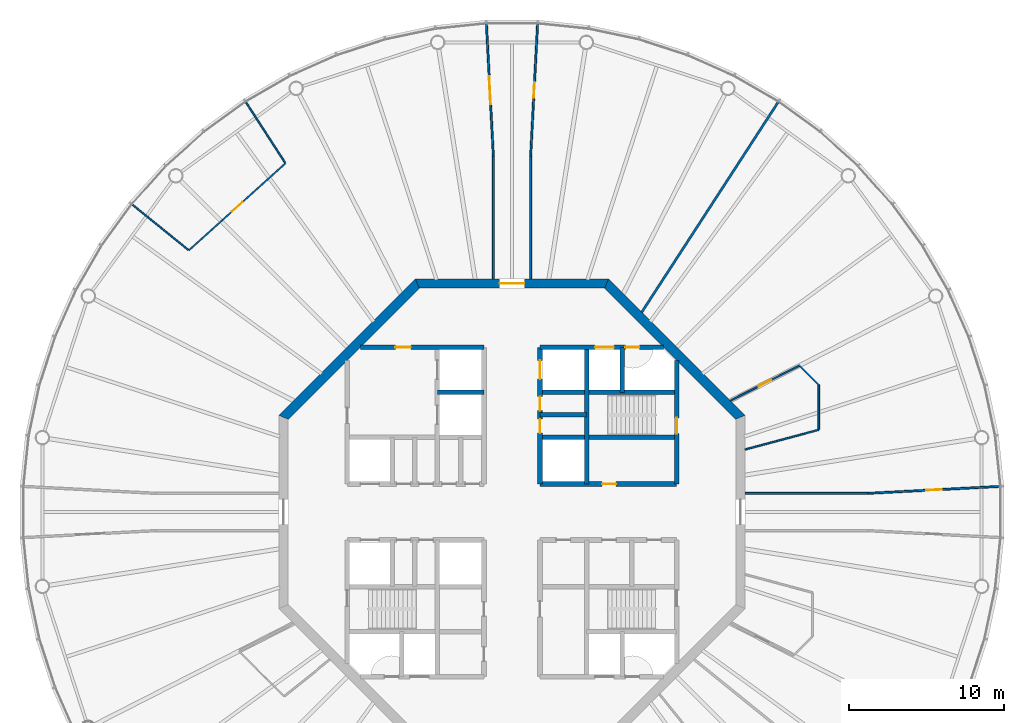
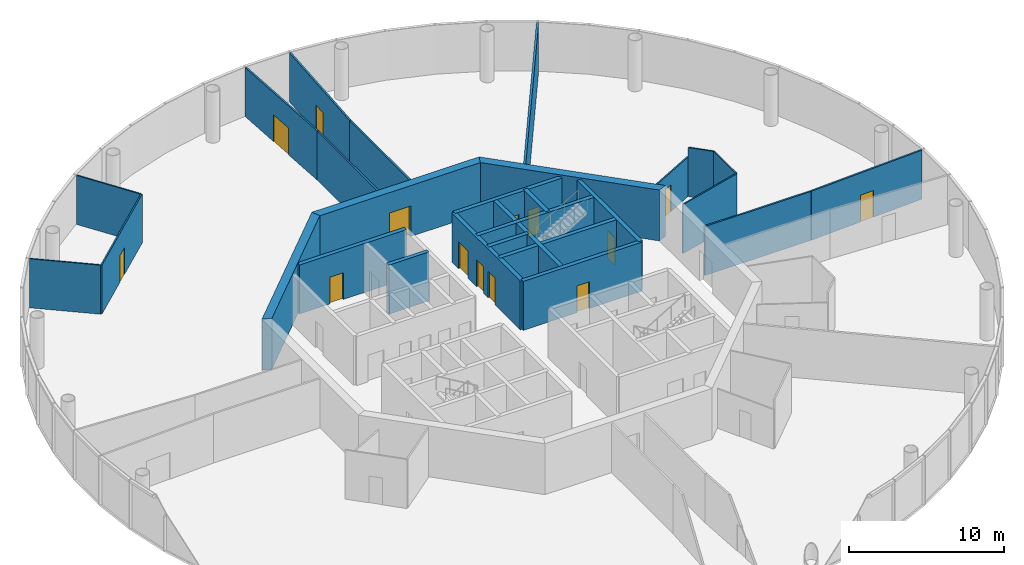
# One storey, part 5 of 13: 28 walls, 14 doors, 14 openings.
"""IFC4 building model written with IfcOpenShell, lengths in metres."""

import ifcopenshell
import ifcopenshell.guid

model = None  # the IFC model being written
_history = None  # IfcOwnerHistory: only IFC2X3 demands one
_inside = {}  # id of a spatial element -> (the spatial element, [elements in it])
_under = {}  # id of a project, library or spatial element -> (it, [spatial elements below it])
_declared = {}  # id of a project -> (the project, [libraries it declares])
_typed = {}  # id of a type object -> (the type object, [elements of that type])
_made_of = {}  # id of a material, layer set ... -> (it, [elements and type objects made of it])


def new_model(schema):
    """Start an empty IFC model of exactly this schema.

    Asked for "IFC4X3", IfcOpenShell would pick the latest addendum, in which some entities
    have other attributes; the version numbers below select the first issue.
    IFC2X3 requires an IfcOwnerHistory on every rooted entity: one is made here for all.
    """
    global model, _history
    if schema == "IFC4X3":
        model = ifcopenshell.file(schema_version=(4, 3, 0, 0))
    else:
        model = ifcopenshell.file(schema=schema)
    _inside.clear()
    _under.clear()
    _declared.clear()
    _typed.clear()
    _made_of.clear()
    _history = None
    if model.schema == "IFC2X3":
        org = make("IfcOrganization", Name="unknown")
        user = make(
            "IfcPersonAndOrganization",
            ThePerson=make("IfcPerson", FamilyName="unknown"),
            TheOrganization=org,
        )
        app = make(
            "IfcApplication",
            ApplicationDeveloper=org,
            Version="unknown",
            ApplicationFullName="unknown",
            ApplicationIdentifier="unknown",
        )
        _history = make(
            "IfcOwnerHistory",
            OwningUser=user,
            OwningApplication=app,
            ChangeAction="ADDED",
            CreationDate=0,
        )
    return model


def make(cls, **values):
    """One entity of the class cls with the attributes given. An attribute that is None is left unset."""
    return model.create_entity(
        cls, **{name: value for name, value in values.items() if value is not None}
    )


def rooted(cls, **values):
    """An entity with a GlobalId (a new one), such as an element, a storey or a relation."""
    return make(cls, GlobalId=ifcopenshell.guid.new(), OwnerHistory=_history, **values)


def si_unit(unit_type, name, prefix=None):
    """IfcSIUnit, for example si_unit("LENGTHUNIT", "METRE", prefix="MILLI")."""
    return make("IfcSIUnit", UnitType=unit_type, Prefix=prefix, Name=name)


def assignment(units):
    """IfcUnitAssignment: the units of a project."""
    return None if units is None else make("IfcUnitAssignment", Units=units)


def point(xyz):
    """IfcCartesianPoint."""
    return None if xyz is None else make("IfcCartesianPoint", Coordinates=xyz)


def direction(xyz):
    """IfcDirection."""
    return None if xyz is None else make("IfcDirection", DirectionRatios=xyz)


def frame(location, z_axis=None, x_axis=None):
    """IfcAxis2Placement3D, a coordinate frame: its origin and axes. An axis left out is left unset."""
    return make(
        "IfcAxis2Placement3D",
        Location=point(location),
        Axis=direction(z_axis),
        RefDirection=direction(x_axis),
    )


def frame_2d(location, x_axis=None):
    """IfcAxis2Placement2D, a coordinate frame in the plane: its origin and x axis."""
    return make(
        "IfcAxis2Placement2D", Location=point(location), RefDirection=direction(x_axis)
    )


def origin():
    """The frame at (0, 0, 0) with its axes left unset."""
    return frame((0.0, 0.0, 0.0))


def place(relative_to, where):
    """IfcLocalPlacement: puts the frame where relative to a parent placement (None: the world)."""
    return make(
        "IfcLocalPlacement", PlacementRelTo=relative_to, RelativePlacement=where
    )


def context(
    kind, dimensions, precision=None, world=None, true_north=None, identifier=None
):
    """IfcGeometricRepresentationContext, for example the 3D "Model" context."""
    return make(
        "IfcGeometricRepresentationContext",
        ContextIdentifier=identifier,
        ContextType=kind,
        CoordinateSpaceDimension=dimensions,
        Precision=precision,
        WorldCoordinateSystem=world,
        TrueNorth=true_north,
    )


def subcontext(parent, identifier, kind, view, scale=None):
    """IfcGeometricRepresentationSubContext, for example "Body" below "Model"."""
    return make(
        "IfcGeometricRepresentationSubContext",
        ContextIdentifier=identifier,
        ContextType=kind,
        ParentContext=parent,
        TargetScale=scale,
        TargetView=view,
    )


def project(units=None, contexts=None):
    """IfcProject with its units and contexts."""
    return rooted(
        "IfcProject",
        Name="project",
        RepresentationContexts=contexts,
        UnitsInContext=assignment(units),
    )


def spatial(cls, under=None, at=None, **own):
    """A site, building, storey or space (cls), placed at a placement, below another one or the project."""
    s = rooted(cls, ObjectPlacement=at, **own)
    if under is not None:
        _under.setdefault(under.id(), (under, []))[1].append(s)
    return s


def polyline(points):
    """IfcPolyline through the points."""
    return make("IfcPolyline", Points=[point(p) for p in points])


def profile(cls, at=None, kind="AREA", **sizes):
    """A parametric profile (cls). Its sizes go by their IFC names, for example OverallWidth=200.0."""
    return make(cls, ProfileType=kind, Position=at, **sizes)


def rectangle(**sizes):
    """IfcRectangleProfileDef."""
    return profile("IfcRectangleProfileDef", **sizes)


def outline(outer, holes=None, kind="AREA"):
    """IfcArbitraryClosedProfileDef: a profile drawn as a closed curve; with holes, ...WithVoids."""
    if holes is None:
        return make("IfcArbitraryClosedProfileDef", ProfileType=kind, OuterCurve=outer)
    return make(
        "IfcArbitraryProfileDefWithVoids",
        ProfileType=kind,
        OuterCurve=outer,
        InnerCurves=holes,
    )


def extrude(swept, where, along, depth):
    """IfcExtrudedAreaSolid: the profile swept, set in the frame where, extruded along a direction by depth."""
    return make(
        "IfcExtrudedAreaSolid",
        SweptArea=swept,
        Position=where,
        ExtrudedDirection=direction(along),
        Depth=depth,
    )


def shape(context_of_items, identifier, shape_type, items):
    """IfcShapeRepresentation: the items that make up one representation, for example the "Body"."""
    return make(
        "IfcShapeRepresentation",
        ContextOfItems=context_of_items,
        RepresentationIdentifier=identifier,
        RepresentationType=shape_type,
        Items=items,
    )


def material(Name=None, Category=None):
    """IfcMaterial."""
    return make("IfcMaterial", Name=Name, Category=Category)


def layer(
    of_material, thickness, ventilated=None, Name=None, Category=None, Priority=None
):
    """IfcMaterialLayer: one layer of a wall or slab, of a material (None: an air gap)."""
    return make(
        "IfcMaterialLayer",
        Material=of_material,
        LayerThickness=thickness,
        IsVentilated=ventilated,
        Name=Name,
        Category=Category,
        Priority=Priority,
    )


def layer_set(layers, Name=None):
    """IfcMaterialLayerSet."""
    return make("IfcMaterialLayerSet", MaterialLayers=layers, LayerSetName=Name)


def made_of(thing, what):
    """Note that an element or type object is made of a material, layer set ...; save() writes the relation."""
    if what is not None:
        _made_of.setdefault(what.id(), (what, []))[1].append(thing)
    return thing


def type_object(cls, material=None, **own):
    """A type object (cls), such as IfcWallType, which elements share."""
    return made_of(rooted(cls, **own), material)


def element(
    cls,
    number,
    at=None,
    inside=None,
    cuts=None,
    type_object=None,
    material=None,
    context=None,
    identifier="Body",
    shape_type=None,
    held_by="IfcProductDefinitionShape",
    body=None,
    shapes=None,
    **own,
):
    """One element of the class cls, such as IfcWall. Its Tag is "e" and its number.

    at: its placement. inside: the storey or other place that contains it. cuts: it is an
    opening in that element (IfcRelVoidsElement). A single representation is given by context,
    identifier, shape_type and body (its items); several are given by shapes. held_by: the class
    of the entity that holds the representations. save() writes the other relations.
    """
    e = rooted(cls, Tag="e%d" % number, ObjectPlacement=at, **own)
    if body is not None:
        shapes = [shape(context, identifier, shape_type, body)]
    if shapes is not None:
        e.Representation = make(held_by, Representations=shapes)
    if inside is not None:
        _inside.setdefault(inside.id(), (inside, []))[1].append(e)
    if cuts is not None:
        rooted(
            "IfcRelVoidsElement", RelatingBuildingElement=cuts, RelatedOpeningElement=e
        )
    if type_object is not None:
        _typed.setdefault(type_object.id(), (type_object, []))[1].append(e)
    return made_of(e, material)


def fill(opening, filler):
    """IfcRelFillsElement: the door or window that sits in an opening."""
    return rooted(
        "IfcRelFillsElement",
        RelatingOpeningElement=opening,
        RelatedBuildingElement=filler,
    )


def aggregate(whole, parts):
    """IfcRelAggregates: a whole, such as a stair, and the parts it consists of."""
    return rooted("IfcRelAggregates", RelatingObject=whole, RelatedObjects=parts)


def save(model, path):
    """Write the relations noted so far, then the file.

    IfcRelAggregates (storeys below a building ...), IfcRelContainedInSpatialStructure (elements
    in a storey), IfcRelDefinesByType, IfcRelAssociatesMaterial and IfcRelDeclares: one each for
    every whole, place, type object, material and project.
    """
    for whole, parts in _under.values():
        aggregate(whole, parts)
    for where, things in _inside.values():
        rooted(
            "IfcRelContainedInSpatialStructure",
            RelatedElements=things,
            RelatingStructure=where,
        )
    for kind, things in _typed.values():
        rooted("IfcRelDefinesByType", RelatedObjects=things, RelatingType=kind)
    for what, things in _made_of.values():
        rooted("IfcRelAssociatesMaterial", RelatedObjects=things, RelatingMaterial=what)
    for by, libraries in _declared.values():
        rooted("IfcRelDeclares", RelatingContext=by, RelatedDefinitions=libraries)
    model.write(path)


model = new_model("IFC4")

# Units and contexts
model_context = context("Model", 3, precision=1e-05, world=origin(), true_north=direction((0.0, 1.0)))
body_context = subcontext(model_context, "Body", "Model", "MODEL_VIEW")
ifc_project = project(units=[si_unit("LENGTHUNIT", "METRE"), si_unit("AREAUNIT", "SQUARE_METRE"), si_unit("VOLUMEUNIT", "CUBIC_METRE"), si_unit("PLANEANGLEUNIT", "RADIAN"), si_unit("MASSUNIT", "GRAM", prefix="KILO")], contexts=[model_context])

# Site, building, storey
site_placement = place(None, origin())
site = spatial("IfcSite", under=ifc_project, at=site_placement, CompositionType="ELEMENT")
building_placement = place(site_placement, origin())
building = spatial("IfcBuilding", under=site, at=building_placement, Name="Entoto Ring Tower", CompositionType="ELEMENT")
storey_placement = place(building_placement, frame((0.0, 0.0, 348.0)))
storey = spatial("IfcBuildingStorey", under=building, at=storey_placement, Name="L80", CompositionType="ELEMENT", Elevation=348.0)

# Wall, opening, door
ifc_material_1 = material(Name="Concrete C40/50", Category="concrete")
ifc_layer_1 = layer(ifc_material_1, 0.300048828125)
ifc_layer_set_1 = layer_set([ifc_layer_1], Name="Concrete C40/50")
wall_type_1 = type_object("IfcWallType", Name="Core enclosure wall 300 mm reinforced concrete", PredefinedType="SOLIDWALL", material=ifc_layer_set_1)
wall_1_placement = place(storey_placement, frame((100.60009765625, 81.800048828125, 0.0), z_axis=(0.0, 0.0, 1.0), x_axis=(0.0, 1.0, 0.0)))
wall_1 = element("IfcWall", 1, at=wall_1_placement, inside=storey, type_object=wall_type_1, Name="wall-L80-002", PredefinedType="SOLIDWALL", context=body_context, shape_type="SweptSolid", body=[
    extrude(rectangle(XDim=7.964599609375, YDim=0.300048828125, at=frame_2d((3.982421875, 0.0))), origin(), (0.0, 0.0, 1.0), 3.85009765625),
])
opening_1_placement = place(wall_1_placement, frame((3.25, 0.0, 0.0)))
opening_1 = element("IfcOpeningElement", 2, at=opening_1_placement, cuts=wall_1, Name="Opening K-26", PredefinedType="OPENING", context=body_context, shape_type="SweptSolid", body=[
    extrude(rectangle(XDim=1.0, YDim=2.10009765625, at=frame_2d((0.5, 1.050048828125))), frame((0.0, 0.16015625, 0.0), z_axis=(0.0, -1.0, 0.0), x_axis=(1.0, 0.0, 0.0)), (0.0, 0.0, 1.0), 0.320068359375),
])
ifc_material_2 = material(Name="Steel door leaf, fire rated", Category="steel")
ifc_layer_2 = layer(ifc_material_2, 0.050048828125)
ifc_layer_set_2 = layer_set([ifc_layer_2], Name="Steel door leaf, fire rated")
door_type_1 = type_object("IfcDoorType", Name="Fire door FD60 1000 x 2100 single leaf", OperationType="NOTDEFINED", PredefinedType="DOOR", material=ifc_layer_set_2)
door_1_placement = place(opening_1_placement, origin())
door_1 = element("IfcDoor", 3, at=door_1_placement, inside=storey, type_object=door_type_1, Name="Door K-26", OperationType="SINGLE_SWING_LEFT", OverallHeight=2.10009765625, OverallWidth=1.0, PredefinedType="DOOR", context=body_context, shape_type="SweptSolid", body=[
    extrude(rectangle(XDim=1.0, YDim=2.10009765625, at=frame_2d((0.5, 1.050048828125))), frame((0.0, 0.02490234375, 0.0), z_axis=(0.0, -1.0, 0.0), x_axis=(1.0, 0.0, 0.0)), (0.0, 0.0, 1.0), 0.050048828125),
])
fill(opening_1, door_1)

# Walls
wall_2_placement = place(storey_placement, frame((97.10009765625, 87.699951171875, 0.0), z_axis=(0.0, 0.0, 1.0), x_axis=(0.0, 1.0, 0.0)))
element("IfcWall", 4, at=wall_2_placement, inside=storey, type_object=wall_type_1, Name="wall-L80-005", PredefinedType="SOLIDWALL", context=body_context, shape_type="SweptSolid", body=[
    extrude(rectangle(XDim=2.900146484375, YDim=0.300048828125, at=frame_2d((1.4501953125, 0.0))), origin(), (0.0, 0.0, 1.0), 3.85009765625),
])
wall_3_placement = place(storey_placement, frame((94.800048828125, 81.800048828125, 0.0), z_axis=(0.0, 0.0, 1.0), x_axis=(0.0, 1.0, 0.0)))
element("IfcWall", 5, at=wall_3_placement, inside=storey, type_object=wall_type_1, Name="wall-L80-007", PredefinedType="SOLIDWALL", context=body_context, shape_type="SweptSolid", body=[
    extrude(rectangle(XDim=8.800048828125, YDim=0.300048828125, at=frame_2d((4.39990234375, 0.0))), origin(), (0.0, 0.0, 1.0), 3.85009765625),
])

# Wall, openings, doors
wall_4_placement = place(storey_placement, frame((91.800048828125, 81.800048828125, 0.0), z_axis=(0.0, 0.0, 1.0), x_axis=(0.0, 1.0, 0.0)))
wall_4 = element("IfcWall", 6, at=wall_4_placement, inside=storey, type_object=wall_type_1, Name="wall-L80-009", PredefinedType="SOLIDWALL", context=body_context, shape_type="SweptSolid", body=[
    extrude(rectangle(XDim=8.800048828125, YDim=0.300048828125, at=frame_2d((4.39990234375, 0.0))), origin(), (0.0, 0.0, 1.0), 3.85009765625),
])
opening_2_placement = place(wall_4_placement, frame((6.75, 0.0, 0.0)))
opening_2 = element("IfcOpeningElement", 7, at=opening_2_placement, cuts=wall_4, Name="Opening LD", PredefinedType="OPENING", context=body_context, shape_type="SweptSolid", body=[
    extrude(rectangle(XDim=1.199951171875, YDim=2.10009765625, at=frame_2d((0.60009765625, 1.050048828125))), frame((0.0, 0.16015625, 0.0), z_axis=(0.0, -1.0, 0.0), x_axis=(1.0, 0.0, 0.0)), (0.0, 0.0, 1.0), 0.320068359375),
])
opening_3_placement = place(wall_4_placement, frame((3.27490234375, 0.0, 0.0)))
opening_3 = element("IfcOpeningElement", 8, at=opening_3_placement, cuts=wall_4, Name="Opening K-18", PredefinedType="OPENING", context=body_context, shape_type="SweptSolid", body=[
    extrude(rectangle(XDim=0.89990234375, YDim=2.10009765625, at=frame_2d((0.449951171875, 1.050048828125))), frame((0.0, 0.16015625, 0.0), z_axis=(0.0, -1.0, 0.0), x_axis=(1.0, 0.0, 0.0)), (0.0, 0.0, 1.0), 0.320068359375),
])
opening_4_placement = place(wall_4_placement, frame((4.72509765625, 0.0, 0.0)))
opening_4 = element("IfcOpeningElement", 9, at=opening_4_placement, cuts=wall_4, Name="Opening K-19", PredefinedType="OPENING", context=body_context, shape_type="SweptSolid", body=[
    extrude(rectangle(XDim=0.89990234375, YDim=2.10009765625, at=frame_2d((0.449951171875, 1.050048828125))), frame((0.0, 0.16015625, 0.0), z_axis=(0.0, -1.0, 0.0), x_axis=(1.0, 0.0, 0.0)), (0.0, 0.0, 1.0), 0.320068359375),
])
ifc_material_3 = material(Name="Steel door leaf, fire rated", Category="steel")
ifc_layer_3 = layer(ifc_material_3, 0.050048828125)
ifc_layer_set_3 = layer_set([ifc_layer_3], Name="Steel door leaf, fire rated")
door_type_2 = type_object("IfcDoorType", Name="Core door 900 x 2100 single leaf", OperationType="NOTDEFINED", PredefinedType="DOOR", material=ifc_layer_set_3)
door_2_placement = place(opening_3_placement, frame((0.89990234375, 0.0, 0.0), z_axis=(0.0, 0.0, 1.0), x_axis=(-1.0, 0.0, 0.0)))
door_2 = element("IfcDoor", 10, at=door_2_placement, inside=storey, type_object=door_type_2, Name="Door K-18", OperationType="SINGLE_SWING_LEFT", OverallHeight=2.10009765625, OverallWidth=0.89990234375, PredefinedType="DOOR", context=body_context, shape_type="SweptSolid", body=[
    extrude(rectangle(XDim=0.89990234375, YDim=2.10009765625, at=frame_2d((0.449951171875, 1.050048828125))), frame((0.0, 0.02490234375, 0.0), z_axis=(0.0, -1.0, 0.0), x_axis=(1.0, 0.0, 0.0)), (0.0, 0.0, 1.0), 0.050048828125),
])
fill(opening_3, door_2)
door_3_placement = place(opening_4_placement, frame((0.89990234375, 0.0, 0.0), z_axis=(0.0, 0.0, 1.0), x_axis=(-1.0, 0.0, 0.0)))
door_3 = element("IfcDoor", 11, at=door_3_placement, inside=storey, type_object=door_type_2, Name="Door K-19", OperationType="SINGLE_SWING_RIGHT", OverallHeight=2.10009765625, OverallWidth=0.89990234375, PredefinedType="DOOR", context=body_context, shape_type="SweptSolid", body=[
    extrude(rectangle(XDim=0.89990234375, YDim=2.10009765625, at=frame_2d((0.449951171875, 1.050048828125))), frame((0.0, 0.02490234375, 0.0), z_axis=(0.0, -1.0, 0.0), x_axis=(1.0, 0.0, 0.0)), (0.0, 0.0, 1.0), 0.050048828125),
])
fill(opening_4, door_3)
ifc_material_4 = material(Name="Steel and glass door leaf", Category="steel")
ifc_layer_4 = layer(ifc_material_4, 0.050048828125)
ifc_layer_set_4 = layer_set([ifc_layer_4], Name="Steel and glass door leaf")
door_type_3 = type_object("IfcDoorType", Name="Landing door 1200 x 2100 sliding", OperationType="DOUBLE_DOOR_SLIDING", PredefinedType="DOOR", material=ifc_layer_set_4)
door_4_placement = place(opening_2_placement, origin())
door_4 = element("IfcDoor", 12, at=door_4_placement, inside=storey, type_object=door_type_3, Name="Landing door SH3", OperationType="SLIDING_TO_RIGHT", OverallHeight=2.10009765625, OverallWidth=1.199951171875, PredefinedType="DOOR", context=body_context, shape_type="SweptSolid", body=[
    extrude(rectangle(XDim=1.199951171875, YDim=2.10009765625, at=frame_2d((0.60009765625, 1.050048828125))), frame((0.0, 0.02490234375, 0.0), z_axis=(0.0, -1.0, 0.0), x_axis=(1.0, 0.0, 0.0)), (0.0, 0.0, 1.0), 0.050048828125),
])
fill(opening_2, door_4)

# Wall, opening, door
wall_5_placement = place(storey_placement, frame((91.800048828125, 81.800048828125, 0.0), z_axis=(0.0, 0.0, 1.0), x_axis=(1.0, 0.0, 0.0)))
wall_5 = element("IfcWall", 13, at=wall_5_placement, inside=storey, type_object=wall_type_1, Name="wall-L80-031", PredefinedType="SOLIDWALL", context=body_context, shape_type="SweptSolid", body=[
    extrude(rectangle(XDim=8.800048828125, YDim=0.300048828125, at=frame_2d((4.39990234375, 0.0))), origin(), (0.0, 0.0, 1.0), 3.85009765625),
])
opening_5_placement = place(wall_5_placement, frame((4.0, 0.0, 0.0)))
opening_5 = element("IfcOpeningElement", 14, at=opening_5_placement, cuts=wall_5, Name="Opening K-11", PredefinedType="OPENING", context=body_context, shape_type="SweptSolid", body=[
    extrude(rectangle(XDim=0.89990234375, YDim=2.10009765625, at=frame_2d((0.449951171875, 1.050048828125))), frame((0.0, 0.16015625, 0.0), z_axis=(0.0, -1.0, 0.0), x_axis=(1.0, 0.0, 0.0)), (0.0, 0.0, 1.0), 0.320068359375),
])
door_5_placement = place(opening_5_placement, origin())
door_5 = element("IfcDoor", 15, at=door_5_placement, inside=storey, type_object=door_type_2, Name="Door K-11", OperationType="SINGLE_SWING_LEFT", OverallHeight=2.10009765625, OverallWidth=0.89990234375, PredefinedType="DOOR", context=body_context, shape_type="SweptSolid", body=[
    extrude(rectangle(XDim=0.89990234375, YDim=2.10009765625, at=frame_2d((0.449951171875, 1.050048828125))), frame((0.0, 0.02490234375, 0.0), z_axis=(0.0, -1.0, 0.0), x_axis=(1.0, 0.0, 0.0)), (0.0, 0.0, 1.0), 0.050048828125),
])
fill(opening_5, door_5)

# Walls
wall_6_placement = place(storey_placement, frame((91.800048828125, 84.800048828125, 0.0), z_axis=(0.0, 0.0, 1.0), x_axis=(1.0, 0.0, 0.0)))
element("IfcWall", 16, at=wall_6_placement, inside=storey, type_object=wall_type_1, Name="wall-L80-033", PredefinedType="SOLIDWALL", context=body_context, shape_type="SweptSolid", body=[
    extrude(rectangle(XDim=8.800048828125, YDim=0.300048828125, at=frame_2d((4.39990234375, 0.0))), origin(), (0.0, 0.0, 1.0), 3.85009765625),
])
for number, where, z_axis, x_axis, name in (
    (17, (91.800048828125, 86.25, 0.0), (0.0, 0.0, 1.0), (1.0, 0.0, 0.0), "wall-L80-034"),
    (18, (85.199951171875, 87.699951171875, 0.0), (0.0, 0.0, 1.0), (1.0, 0.0, 0.0), "wall-L80-035"),
):
    element("IfcWall", number, at=place(storey_placement, frame(where, z_axis=z_axis, x_axis=x_axis)), inside=storey, type_object=wall_type_1, Name=name, PredefinedType="SOLIDWALL", context=body_context, shape_type="SweptSolid", body=[
        extrude(rectangle(XDim=3.0, YDim=0.300048828125, at=frame_2d((1.5, 0.0))), origin(), (0.0, 0.0, 1.0), 3.85009765625),
    ])
wall_7_placement = place(storey_placement, frame((91.800048828125, 87.699951171875, 0.0), z_axis=(0.0, 0.0, 1.0), x_axis=(1.0, 0.0, 0.0)))
element("IfcWall", 19, at=wall_7_placement, inside=storey, type_object=wall_type_1, Name="wall-L80-036", PredefinedType="SOLIDWALL", context=body_context, shape_type="SweptSolid", body=[
    extrude(rectangle(XDim=8.800048828125, YDim=0.300048828125, at=frame_2d((4.39990234375, 0.0))), origin(), (0.0, 0.0, 1.0), 3.85009765625),
])

# Wall, opening, door
wall_8_placement = place(storey_placement, frame((80.2353515625, 90.60009765625, 0.0), z_axis=(0.0, 0.0, 1.0), x_axis=(1.0, 0.0, 0.0)))
wall_8 = element("IfcWall", 20, at=wall_8_placement, inside=storey, type_object=wall_type_1, Name="wall-L80-037", PredefinedType="SOLIDWALL", context=body_context, shape_type="SweptSolid", body=[
    extrude(rectangle(XDim=7.964599609375, YDim=0.300048828125, at=frame_2d((3.982421875, 0.0))), origin(), (0.0, 0.0, 1.0), 3.85009765625),
])
opening_6_placement = place(wall_8_placement, frame((2.2646484375, 0.0, 0.0)))
opening_6 = element("IfcOpeningElement", 21, at=opening_6_placement, cuts=wall_8, Name="Opening K-87", PredefinedType="OPENING", context=body_context, shape_type="SweptSolid", body=[
    extrude(rectangle(XDim=1.0, YDim=2.10009765625, at=frame_2d((0.5, 1.050048828125))), frame((0.0, 0.16015625, 0.0), z_axis=(0.0, -1.0, 0.0), x_axis=(1.0, 0.0, 0.0)), (0.0, 0.0, 1.0), 0.320068359375),
])
door_6_placement = place(opening_6_placement, frame((1.0, 0.0, 0.0), z_axis=(0.0, 0.0, 1.0), x_axis=(-1.0, 0.0, 0.0)))
door_6 = element("IfcDoor", 22, at=door_6_placement, inside=storey, type_object=door_type_1, Name="Door K-87", OperationType="SINGLE_SWING_LEFT", OverallHeight=2.10009765625, OverallWidth=1.0, PredefinedType="DOOR", context=body_context, shape_type="SweptSolid", body=[
    extrude(rectangle(XDim=1.0, YDim=2.10009765625, at=frame_2d((0.5, 1.050048828125))), frame((0.0, 0.02490234375, 0.0), z_axis=(0.0, -1.0, 0.0), x_axis=(1.0, 0.0, 0.0)), (0.0, 0.0, 1.0), 0.050048828125),
])
fill(opening_6, door_6)

# Wall, openings, doors
wall_9_placement = place(storey_placement, frame((91.800048828125, 90.60009765625, 0.0), z_axis=(0.0, 0.0, 1.0), x_axis=(1.0, 0.0, 0.0)))
wall_9 = element("IfcWall", 23, at=wall_9_placement, inside=storey, type_object=wall_type_1, Name="wall-L80-038", PredefinedType="SOLIDWALL", context=body_context, shape_type="SweptSolid", body=[
    extrude(rectangle(XDim=7.964599609375, YDim=0.300048828125, at=frame_2d((3.982421875, 0.0))), origin(), (0.0, 0.0, 1.0), 3.85009765625),
])
opening_7_placement = place(wall_9_placement, frame((3.550048828125, 0.0, 0.0)))
opening_7 = element("IfcOpeningElement", 24, at=opening_7_placement, cuts=wall_9, Name="Opening LD", PredefinedType="OPENING", context=body_context, shape_type="SweptSolid", body=[
    extrude(rectangle(XDim=1.199951171875, YDim=2.10009765625, at=frame_2d((0.60009765625, 1.050048828125))), frame((0.0, 0.16015625, 0.0), z_axis=(0.0, -1.0, 0.0), x_axis=(1.0, 0.0, 0.0)), (0.0, 0.0, 1.0), 0.320068359375),
])
opening_8_placement = place(wall_9_placement, frame((5.5, 0.0, 0.0)))
opening_8 = element("IfcOpeningElement", 25, at=opening_8_placement, cuts=wall_9, Name="Opening K-83", PredefinedType="OPENING", context=body_context, shape_type="SweptSolid", body=[
    extrude(rectangle(XDim=0.89990234375, YDim=2.10009765625, at=frame_2d((0.449951171875, 1.050048828125))), frame((0.0, 0.16015625, 0.0), z_axis=(0.0, -1.0, 0.0), x_axis=(1.0, 0.0, 0.0)), (0.0, 0.0, 1.0), 0.320068359375),
])
door_7_placement = place(opening_7_placement, origin())
door_7 = element("IfcDoor", 26, at=door_7_placement, inside=storey, type_object=door_type_3, Name="Landing door LB1-HR", OperationType="SLIDING_TO_RIGHT", OverallHeight=2.10009765625, OverallWidth=1.199951171875, PredefinedType="DOOR", context=body_context, shape_type="SweptSolid", body=[
    extrude(rectangle(XDim=1.199951171875, YDim=2.10009765625, at=frame_2d((0.60009765625, 1.050048828125))), frame((0.0, 0.02490234375, 0.0), z_axis=(0.0, -1.0, 0.0), x_axis=(1.0, 0.0, 0.0)), (0.0, 0.0, 1.0), 0.050048828125),
])
fill(opening_7, door_7)
ifc_material_5 = material(Name="Steel door leaf, fire rated", Category="steel")
ifc_layer_5 = layer(ifc_material_5, 0.050048828125)
ifc_layer_set_5 = layer_set([ifc_layer_5], Name="Steel door leaf, fire rated")
door_type_4 = type_object("IfcDoorType", Name="Riser door FD60 900 x 2100 single leaf", OperationType="NOTDEFINED", PredefinedType="DOOR", material=ifc_layer_set_5)
door_8_placement = place(opening_8_placement, frame((0.89990234375, 0.0, 0.0), z_axis=(0.0, 0.0, 1.0), x_axis=(-1.0, 0.0, 0.0)))
door_8 = element("IfcDoor", 27, at=door_8_placement, inside=storey, type_object=door_type_4, Name="Door K-83", OperationType="SINGLE_SWING_RIGHT", OverallHeight=2.10009765625, OverallWidth=0.89990234375, PredefinedType="DOOR", context=body_context, shape_type="SweptSolid", body=[
    extrude(rectangle(XDim=0.89990234375, YDim=2.10009765625, at=frame_2d((0.449951171875, 1.050048828125))), frame((0.0, 0.02490234375, 0.0), z_axis=(0.0, -1.0, 0.0), x_axis=(1.0, 0.0, 0.0)), (0.0, 0.0, 1.0), 0.050048828125),
])
fill(opening_8, door_8)

# Wall
ifc_material_6 = material(Name="Concrete C40/50", Category="concrete")
ifc_layer_6 = layer(ifc_material_6, 0.60009765625)
ifc_layer_set_6 = layer_set([ifc_layer_6], Name="Concrete C40/50")
wall_type_2 = type_object("IfcWallType", Name="Core shear wall 600 mm reinforced concrete C40/50", PredefinedType="SHEAR", material=ifc_layer_set_6)
wall_10_placement = place(storey_placement, frame((104.699951171875, 86.0888671875, 0.0), z_axis=(0.0, 0.0, 1.0), x_axis=(-0.707106781187, 0.707106781187, 0.0)))
element("IfcWall", 28, at=wall_10_placement, inside=storey, type_object=wall_type_2, Name="wall-L80-core-1", PredefinedType="SHEAR", context=body_context, shape_type="SweptSolid", body=[
    extrude(outline(polyline([(-0.124267578125, -0.300048828125), (12.30224609375, -0.300048828125), (12.0537109375, 0.300048828125), (0.124267578125, 0.300048828125), (-0.124267578125, -0.300048828125)])), origin(), (0.0, 0.0, 1.0), 4.0),
])

# Wall, opening, door
wall_11_placement = place(storey_placement, frame((96.0888671875, 94.699951171875, 0.0), z_axis=(0.0, 0.0, 1.0), x_axis=(-1.0, 0.0, 0.0)))
wall_11 = element("IfcWall", 29, at=wall_11_placement, inside=storey, type_object=wall_type_2, Name="wall-L80-core-2", PredefinedType="SHEAR", context=body_context, shape_type="SweptSolid", body=[
    extrude(outline(polyline([(-0.124267578125, -0.300048828125), (12.302001953125, -0.300048828125), (12.053466796875, 0.300048828125), (0.124267578125, 0.300048828125), (-0.124267578125, -0.300048828125)])), origin(), (0.0, 0.0, 1.0), 4.0),
])
opening_9_placement = place(wall_11_placement, frame((5.288818359375, 0.0, 0.0)))
opening_9 = element("IfcOpeningElement", 30, at=opening_9_placement, cuts=wall_11, Name="Opening K-02", PredefinedType="OPENING", context=body_context, shape_type="SweptSolid", body=[
    extrude(rectangle(XDim=1.60009765625, YDim=2.39990234375, at=frame_2d((0.800048828125, 1.199951171875))), frame((0.0, 0.31005859375, 0.0), z_axis=(0.0, -1.0, 0.0), x_axis=(1.0, 0.0, 0.0)), (0.0, 0.0, 1.0), 0.6201171875),
])
ifc_material_7 = material(Name="Steel door leaf, fire rated", Category="steel")
ifc_layer_7 = layer(ifc_material_7, 0.050048828125)
ifc_layer_set_7 = layer_set([ifc_layer_7], Name="Steel door leaf, fire rated")
door_type_5 = type_object("IfcDoorType", Name="Entrance door FD60 1600 x 2400 double leaf", OperationType="DOUBLE_DOOR_SINGLE_SWING", PredefinedType="DOOR", material=ifc_layer_set_7)
door_9_placement = place(opening_9_placement, origin())
door_9 = element("IfcDoor", 31, at=door_9_placement, inside=storey, type_object=door_type_5, Name="Entrance door K-02", OperationType="DOUBLE_DOOR_SINGLE_SWING", OverallHeight=2.39990234375, OverallWidth=1.60009765625, PredefinedType="DOOR", context=body_context, shape_type="SweptSolid", body=[
    extrude(rectangle(XDim=1.60009765625, YDim=2.39990234375, at=frame_2d((0.800048828125, 1.199951171875))), frame((0.0, 0.02490234375, 0.0), z_axis=(0.0, -1.0, 0.0), x_axis=(1.0, 0.0, 0.0)), (0.0, 0.0, 1.0), 0.050048828125),
])
fill(opening_9, door_9)

# Wall
wall_12_placement = place(storey_placement, frame((83.9111328125, 94.699951171875, 0.0), z_axis=(0.0, 0.0, 1.0), x_axis=(-0.707106781187, -0.707106781187, 0.0)))
element("IfcWall", 32, at=wall_12_placement, inside=storey, type_object=wall_type_2, Name="wall-L80-core-3", PredefinedType="SHEAR", context=body_context, shape_type="SweptSolid", body=[
    extrude(outline(polyline([(-0.124267578125, -0.300048828125), (12.30224609375, -0.300048828125), (12.0537109375, 0.300048828125), (0.124267578125, 0.300048828125), (-0.124267578125, -0.300048828125)])), origin(), (0.0, 0.0, 1.0), 4.0),
])

# Wall, opening, door
ifc_material_8 = material(Name="Fire-resisting plasterboard on steel studs", Category="steel")
ifc_layer_8 = layer(ifc_material_8, 0.125)
ifc_layer_set_8 = layer_set([ifc_layer_8], Name="Fire-resisting plasterboard on steel studs")
wall_type_3 = type_object("IfcWallType", Name="Corridor wall 125 mm one-hour plasterboard on steel studs", PredefinedType="PARTITIONING", material=ifc_layer_set_8)
wall_13_placement = place(storey_placement, frame((88.800048828125, 102.8974609375, 0.0), z_axis=(0.0, 0.0, 1.0), x_axis=(-0.05234956051, 0.998628821692, 0.0)))
wall_13 = element("IfcWall", 33, at=wall_13_placement, inside=storey, type_object=wall_type_3, Name="partition-L80-004", PredefinedType="PARTITIONING", context=body_context, shape_type="SweptSolid", body=[
    extrude(rectangle(XDim=8.51123046875, YDim=0.125, at=frame_2d((4.255615234375, 0.0))), origin(), (0.0, 0.0, 1.0), 3.85009765625),
])
opening_10_placement = place(wall_13_placement, frame((3.355712890625, 0.0, 0.0)))
opening_10 = element("IfcOpeningElement", 34, at=opening_10_placement, cuts=wall_13, Name="Opening A35-D04", PredefinedType="OPENING", context=body_context, shape_type="SweptSolid", body=[
    extrude(rectangle(XDim=1.800048828125, YDim=2.10009765625, at=frame_2d((0.89990234375, 1.050048828125))), frame((0.0, 0.072509765625, 0.0), z_axis=(0.0, -1.0, 0.0), x_axis=(1.0, 0.0, 0.0)), (0.0, 0.0, 1.0), 0.14501953125),
])
ifc_material_9 = material(Name="Fire-resisting timber door set", Category="wood")
door_type_6 = type_object("IfcDoorType", Name="Door 1800 x 2100 double leaf FD30S fire door", OperationType="DOUBLE_DOOR_SINGLE_SWING", PredefinedType="DOOR", material=ifc_material_9)
door_10_placement = place(opening_10_placement, frame((1.800048828125, 0.0, 0.0), z_axis=(0.0, 0.0, 1.0), x_axis=(-1.0, 0.0, 0.0)))
door_10 = element("IfcDoor", 35, at=door_10_placement, inside=storey, type_object=door_type_6, Name="Door A35-D04", OperationType="DOUBLE_DOOR_SINGLE_SWING", OverallHeight=2.10009765625, OverallWidth=1.800048828125, PredefinedType="DOOR", context=body_context, shape_type="SweptSolid", body=[
    extrude(rectangle(XDim=1.800048828125, YDim=2.10009765625, at=frame_2d((0.89990234375, 1.050048828125))), frame((0.0, 0.02490234375, 0.0), z_axis=(0.0, -1.0, 0.0), x_axis=(1.0, 0.0, 0.0)), (0.0, 0.0, 1.0), 0.050048828125),
])
fill(opening_10, door_10)

wall_14_placement = place(storey_placement, frame((91.199951171875, 102.8974609375, 0.0), z_axis=(0.0, 0.0, 1.0), x_axis=(0.05234956051, 0.998628821692, 0.0)))
wall_14 = element("IfcWall", 36, at=wall_14_placement, inside=storey, type_object=wall_type_3, Name="partition-L80-005", PredefinedType="PARTITIONING", context=body_context, shape_type="SweptSolid", body=[
    extrude(rectangle(XDim=8.51123046875, YDim=0.125, at=frame_2d((4.255615234375, 0.0))), origin(), (0.0, 0.0, 1.0), 3.85009765625),
])
opening_11_placement = place(wall_14_placement, frame((3.755615234375, 0.0, 0.0)))
opening_11 = element("IfcOpeningElement", 37, at=opening_11_placement, cuts=wall_14, Name="Opening A35-D03", PredefinedType="OPENING", context=body_context, shape_type="SweptSolid", body=[
    extrude(rectangle(XDim=1.0, YDim=2.10009765625, at=frame_2d((0.5, 1.050048828125))), frame((0.0, 0.072509765625, 0.0), z_axis=(0.0, -1.0, 0.0), x_axis=(1.0, 0.0, 0.0)), (0.0, 0.0, 1.0), 0.14501953125),
])
ifc_material_10 = material(Name="Fire-resisting timber door set", Category="wood")
door_type_7 = type_object("IfcDoorType", Name="Door 1000 x 2100 single leaf FD30S fire door", OperationType="NOTDEFINED", PredefinedType="DOOR", material=ifc_material_10)
door_11_placement = place(opening_11_placement, frame((1.0, 0.0, 0.0), z_axis=(0.0, 0.0, 1.0), x_axis=(-1.0, 0.0, 0.0)))
door_11 = element("IfcDoor", 38, at=door_11_placement, inside=storey, type_object=door_type_7, Name="Door A35-D03", OperationType="SINGLE_SWING_LEFT", OverallHeight=2.10009765625, OverallWidth=1.0, PredefinedType="DOOR", context=body_context, shape_type="SweptSolid", body=[
    extrude(rectangle(XDim=1.0, YDim=2.10009765625, at=frame_2d((0.5, 1.050048828125))), frame((0.0, 0.02490234375, 0.0), z_axis=(0.0, -1.0, 0.0), x_axis=(1.0, 0.0, 0.0)), (0.0, 0.0, 1.0), 0.050048828125),
])
fill(opening_11, door_11)

wall_15_placement = place(storey_placement, frame((112.8974609375, 81.199951171875, 0.0), z_axis=(0.0, 0.0, 1.0), x_axis=(0.998628821692, 0.05234956051, 0.0)))
wall_15 = element("IfcWall", 39, at=wall_15_placement, inside=storey, type_object=wall_type_3, Name="partition-L80-007", PredefinedType="PARTITIONING", context=body_context, shape_type="SweptSolid", body=[
    extrude(rectangle(XDim=8.51123046875, YDim=0.125, at=frame_2d((4.255615234375, 0.0))), origin(), (0.0, 0.0, 1.0), 3.85009765625),
])
opening_12_placement = place(wall_15_placement, frame((3.755615234375, 0.0, 0.0)))
opening_12 = element("IfcOpeningElement", 40, at=opening_12_placement, cuts=wall_15, Name="Opening A35-D01", PredefinedType="OPENING", context=body_context, shape_type="SweptSolid", body=[
    extrude(rectangle(XDim=1.0, YDim=2.10009765625, at=frame_2d((0.5, 1.050048828125))), frame((0.0, 0.072509765625, 0.0), z_axis=(0.0, -1.0, 0.0), x_axis=(1.0, 0.0, 0.0)), (0.0, 0.0, 1.0), 0.14501953125),
])
door_12_placement = place(opening_12_placement, origin())
door_12 = element("IfcDoor", 41, at=door_12_placement, inside=storey, type_object=door_type_7, Name="Door A35-D01", OperationType="SINGLE_SWING_RIGHT", OverallHeight=2.10009765625, OverallWidth=1.0, PredefinedType="DOOR", context=body_context, shape_type="SweptSolid", body=[
    extrude(rectangle(XDim=1.0, YDim=2.10009765625, at=frame_2d((0.5, 1.050048828125))), frame((0.0, 0.02490234375, 0.0), z_axis=(0.0, -1.0, 0.0), x_axis=(1.0, 0.0, 0.0)), (0.0, 0.0, 1.0), 0.050048828125),
])
fill(opening_12, door_12)

# Walls
for number, where, z_axis, x_axis, name in (
    (42, (88.800048828125, 95.0, 0.0), (0.0, 0.0, 1.0), (0.0, 1.0, 0.0), "partition-L80-012"),
    (43, (91.199951171875, 95.0, 0.0), (0.0, 0.0, 1.0), (0.0, 1.0, 0.0), "partition-L80-014"),
    (44, (105.0, 81.199951171875, 0.0), (0.0, 0.0, 1.0), (1.0, 0.0, 0.0), "partition-L80-016"),
):
    element("IfcWall", number, at=place(storey_placement, frame(where, z_axis=z_axis, x_axis=x_axis)), inside=storey, type_object=wall_type_3, Name=name, PredefinedType="PARTITIONING", context=body_context, shape_type="SweptSolid", body=[
        extrude(rectangle(XDim=7.89404296875, YDim=0.125, at=frame_2d((3.947021484375, 0.0))), origin(), (0.0, 0.0, 1.0), 3.85009765625),
    ])

# Wall, opening, door
ifc_material_11 = material(Name="Plasterboard on steel studs", Category="steel")
ifc_layer_9 = layer(ifc_material_11, 0.10009765625)
ifc_layer_set_9 = layer_set([ifc_layer_9], Name="Plasterboard on steel studs")
wall_type_4 = type_object("IfcWallType", Name="Partition 100 mm plasterboard on steel studs", PredefinedType="PARTITIONING", material=ifc_layer_set_9)
wall_16_placement = place(storey_placement, frame((69.20361328125, 96.840576171875, 0.0), z_axis=(0.0, 0.0, 1.0), x_axis=(0.743141882946, 0.669133874356, 0.0)))
wall_16 = element("IfcWall", 45, at=wall_16_placement, inside=storey, type_object=wall_type_4, Name="partition-L80-019", PredefinedType="PARTITIONING", context=body_context, shape_type="SweptSolid", body=[
    extrude(rectangle(XDim=8.37255859375, YDim=0.10009765625, at=frame_2d((4.186279296875, 0.0))), origin(), (0.0, 0.0, 1.0), 3.85009765625),
])
opening_13_placement = place(wall_16_placement, frame((3.736083984375, 0.0, 0.0)))
opening_13 = element("IfcOpeningElement", 46, at=opening_13_placement, cuts=wall_16, Name="Opening A35-D05", PredefinedType="OPENING", context=body_context, shape_type="SweptSolid", body=[
    extrude(rectangle(XDim=0.89990234375, YDim=2.10009765625, at=frame_2d((0.449951171875, 1.050048828125))), frame((0.0, 0.06005859375, 0.0), z_axis=(0.0, -1.0, 0.0), x_axis=(1.0, 0.0, 0.0)), (0.0, 0.0, 1.0), 0.1201171875),
])
ifc_material_12 = material(Name="Veneered timber door leaf in timber frame", Category="wood")
door_type_8 = type_object("IfcDoorType", Name="Door 900 x 2100 single leaf timber veneer", OperationType="NOTDEFINED", PredefinedType="DOOR", material=ifc_material_12)
door_13_placement = place(opening_13_placement, origin())
door_13 = element("IfcDoor", 47, at=door_13_placement, inside=storey, type_object=door_type_8, Name="Door A35-D05", OperationType="SINGLE_SWING_RIGHT", OverallHeight=2.10009765625, OverallWidth=0.89990234375, PredefinedType="DOOR", context=body_context, shape_type="SweptSolid", body=[
    extrude(rectangle(XDim=0.89990234375, YDim=2.10009765625, at=frame_2d((0.449951171875, 1.050048828125))), frame((0.0, 0.02490234375, 0.0), z_axis=(0.0, -1.0, 0.0), x_axis=(1.0, 0.0, 0.0)), (0.0, 0.0, 1.0), 0.050048828125),
])
fill(opening_13, door_13)

# Walls
wall_17_placement = place(storey_placement, frame((105.0, 84.019287109375, 0.0), z_axis=(0.0, 0.0, 1.0), x_axis=(0.965928731366, 0.258808202965, 0.0)))
element("IfcWall", 48, at=wall_17_placement, inside=storey, type_object=wall_type_4, Name="partition-L80-021", PredefinedType="PARTITIONING", context=body_context, shape_type="SweptSolid", body=[
    extrude(rectangle(XDim=4.9072265625, YDim=0.10009765625, at=frame_2d((2.45361328125, 0.0))), origin(), (0.0, 0.0, 1.0), 3.85009765625),
])
for number, where, z_axis, x_axis, name in (
    (49, (75.398681640625, 102.484130859375, 0.0), (0.0, 0.0, 1.0), (-0.544647341491, 0.838665173598, 0.0), "partition-L80-022"),
    (50, (69.165283203125, 96.87158203125, 0.0), (0.0, 0.0, 1.0), (-0.777146643014, 0.629319549397, 0.0), "partition-L80-023"),
):
    element("IfcWall", number, at=place(storey_placement, frame(where, z_axis=z_axis, x_axis=x_axis)), inside=storey, type_object=wall_type_4, Name=name, PredefinedType="PARTITIONING", context=body_context, shape_type="SweptSolid", body=[
        extrude(rectangle(XDim=4.630859375, YDim=0.10009765625, at=frame_2d((2.3154296875, 0.0))), origin(), (0.0, 0.0, 1.0), 3.85009765625),
    ])
wall_18_placement = place(storey_placement, frame((109.739990234375, 85.33740234375, 0.0), z_axis=(0.0, 0.0, 1.0), x_axis=(0.0, 1.0, 0.0)))
element("IfcWall", 51, at=wall_18_placement, inside=storey, type_object=wall_type_4, Name="partition-L80-032", PredefinedType="PARTITIONING", context=body_context, shape_type="SweptSolid", body=[
    extrude(rectangle(XDim=2.839111328125, YDim=0.10009765625, at=frame_2d((1.41943359375, 0.0))), origin(), (0.0, 0.0, 1.0), 3.85009765625),
])
wall_19_placement = place(storey_placement, frame((109.715087890625, 88.201416015625, 0.0), z_axis=(0.0, 0.0, 1.0), x_axis=(-0.707106781187, 0.707106781187, 0.0)))
element("IfcWall", 52, at=wall_19_placement, inside=storey, type_object=wall_type_4, Name="partition-L80-034", PredefinedType="PARTITIONING", context=body_context, shape_type="SweptSolid", body=[
    extrude(rectangle(XDim=1.68017578125, YDim=0.10009765625, at=frame_2d((0.840087890625, 0.0))), origin(), (0.0, 0.0, 1.0), 3.85009765625),
])

# Wall, opening, door
ifc_material_13 = material(Name="Plasterboard on steel studs", Category="steel")
ifc_layer_10 = layer(ifc_material_13, 0.10009765625)
ifc_layer_set_10 = layer_set([ifc_layer_10], Name="Plasterboard on steel studs")
wall_type_5 = type_object("IfcWallType", Name="Partition 100 mm plasterboard on steel studs, 3097 mm high", PredefinedType="PARTITIONING", material=ifc_layer_set_10)
wall_20_placement = place(storey_placement, frame((104.052978515625, 87.160400390625, 0.0), z_axis=(0.0, 0.0, 1.0), x_axis=(0.891001736815, 0.453999895366, 0.0)))
wall_20 = element("IfcWall", 53, at=wall_20_placement, inside=storey, type_object=wall_type_5, Name="partition-L80-020", PredefinedType="PARTITIONING", context=body_context, shape_type="SweptSolid", body=[
    extrude(rectangle(XDim=4.98388671875, YDim=0.10009765625, at=frame_2d((2.491943359375, 0.0))), origin(), (0.0, 0.0, 1.0), 3.096923828125),
])
opening_14_placement = place(wall_20_placement, frame((2.0419921875, 0.0, 0.0)))
opening_14 = element("IfcOpeningElement", 54, at=opening_14_placement, cuts=wall_20, Name="Opening A35-D02", PredefinedType="OPENING", context=body_context, shape_type="SweptSolid", body=[
    extrude(rectangle(XDim=0.89990234375, YDim=2.10009765625, at=frame_2d((0.449951171875, 1.050048828125))), frame((0.0, 0.06005859375, 0.0), z_axis=(0.0, -1.0, 0.0), x_axis=(1.0, 0.0, 0.0)), (0.0, 0.0, 1.0), 0.1201171875),
])
door_14_placement = place(opening_14_placement, frame((0.89990234375, 0.0, 0.0), z_axis=(0.0, 0.0, 1.0), x_axis=(-1.0, 0.0, 0.0)))
door_14 = element("IfcDoor", 55, at=door_14_placement, inside=storey, type_object=door_type_8, Name="Door A35-D02", OperationType="SINGLE_SWING_RIGHT", OverallHeight=2.10009765625, OverallWidth=0.89990234375, PredefinedType="DOOR", context=body_context, shape_type="SweptSolid", body=[
    extrude(rectangle(XDim=0.89990234375, YDim=2.10009765625, at=frame_2d((0.449951171875, 1.050048828125))), frame((0.0, 0.02490234375, 0.0), z_axis=(0.0, -1.0, 0.0), x_axis=(1.0, 0.0, 0.0)), (0.0, 0.0, 1.0), 0.050048828125),
])
fill(opening_14, door_14)

# Wall
ifc_material_14 = material(Name="Fire-resisting acoustic plasterboard on steel studs", Category="steel")
ifc_layer_11 = layer(ifc_material_14, 0.14990234375)
ifc_layer_set_11 = layer_set([ifc_layer_11], Name="Fire-resisting acoustic plasterboard on steel studs")
wall_type_6 = type_object("IfcWallType", Name="Party wall 150 mm one-hour acoustic plasterboard on steel studs", PredefinedType="PARTITIONING", material=ifc_layer_set_11)
wall_21_placement = place(storey_placement, frame((98.35205078125, 92.861083984375, 0.0), z_axis=(0.0, 0.0, 1.0), x_axis=(0.54464089364, 0.838669360937, 0.0)))
element("IfcWall", 56, at=wall_21_placement, inside=storey, type_object=wall_type_6, Name="partition-L80-018", PredefinedType="PARTITIONING", context=body_context, shape_type="SweptSolid", body=[
    extrude(rectangle(XDim=16.10498046875, YDim=0.14990234375, at=frame_2d((8.052490234375, 0.0))), origin(), (0.0, 0.0, 1.0), 3.85009765625),
])

save(model, "model.ifc")
